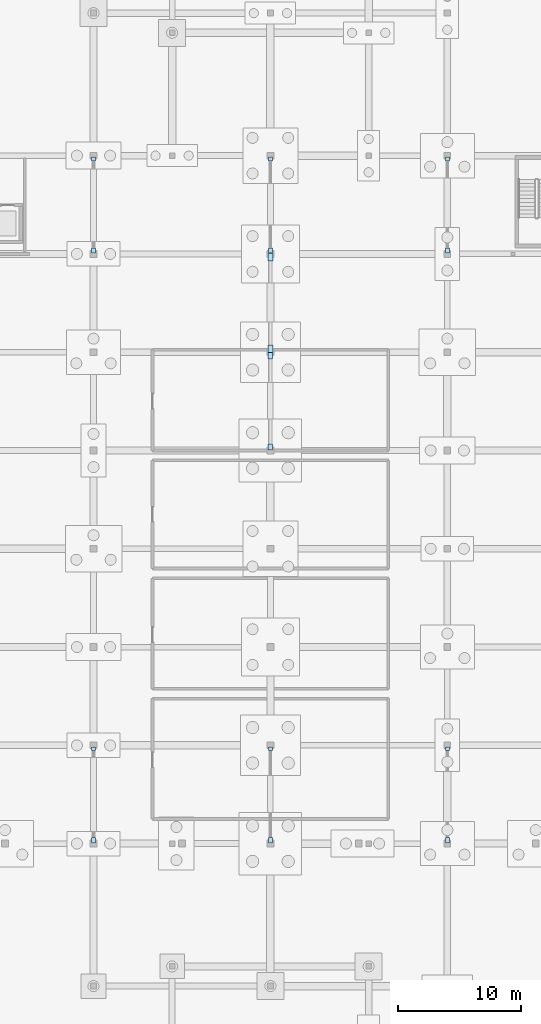
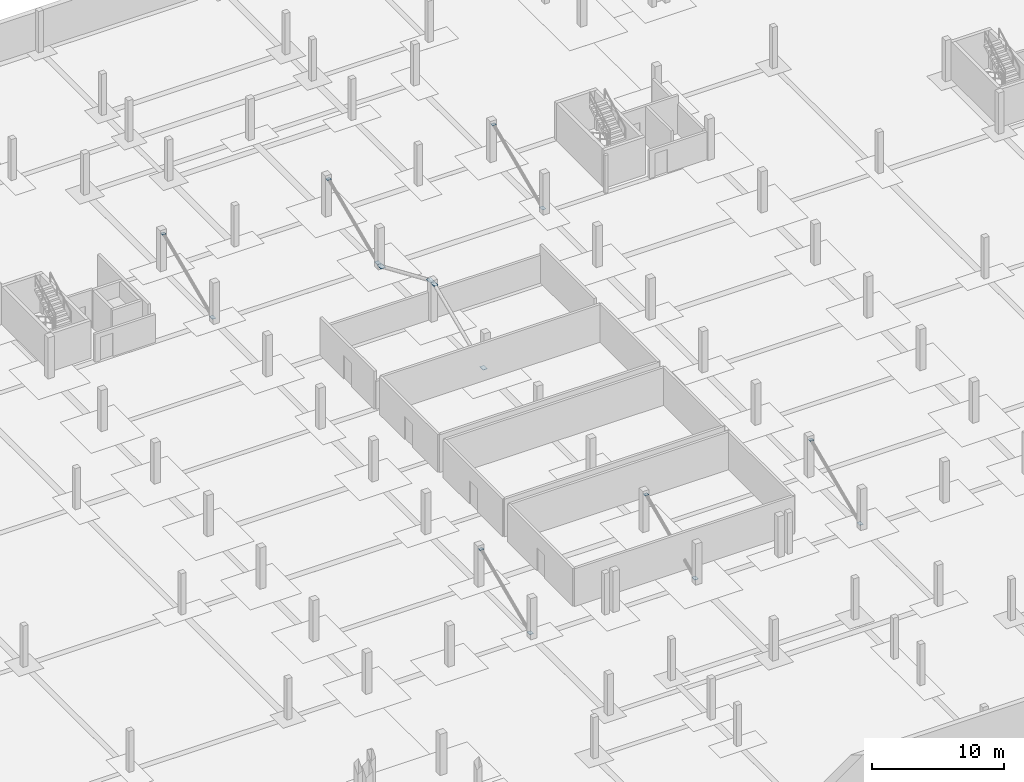
# One storey, part 16 of 38: 16 plates.
"""IFC4 building model written with IfcOpenShell, lengths in metres."""

from ifc_helpers import new_model, si_unit, direction, frame, origin, origin_2d, place, context, subcontext, project, spatial, rectangle, extrude, material, layer, layer_set, type_object, element, save


model = new_model("IFC4")

# Units and contexts
model_context = context("Model", 3, precision=1e-05, world=origin(), true_north=direction((0.0, 1.0)))
body_context = subcontext(model_context, "Body", "Model", "MODEL_VIEW")
ifc_project = project(units=[si_unit("LENGTHUNIT", "METRE"), si_unit("AREAUNIT", "SQUARE_METRE"), si_unit("VOLUMEUNIT", "CUBIC_METRE"), si_unit("PLANEANGLEUNIT", "RADIAN"), si_unit("MASSUNIT", "GRAM", prefix="KILO")], contexts=[model_context])

# Site, building, storey
site_placement = place(None, origin())
site = spatial("IfcSite", under=ifc_project, at=site_placement, CompositionType="ELEMENT")
building_placement = place(site_placement, origin())
building = spatial("IfcBuilding", under=site, at=building_placement, Name="Zavelmont Quarter", CompositionType="ELEMENT")
storey_placement = place(building_placement, frame((0.0, 0.0, -3.800048828125)))
storey = spatial("IfcBuildingStorey", under=building, at=storey_placement, Name="B01", CompositionType="ELEMENT", Elevation=-3.800048828125)

# Plates
ifc_material = material(Name="Steel S355", Category="steel")
ifc_layer_1 = layer(ifc_material, 0.02490234375)
ifc_layer_set_1 = layer_set([ifc_layer_1], Name="Steel S355")
plate_type_1 = type_object("IfcPlateType", Name="NP03", PredefinedType="SHEET", material=ifc_layer_set_1)
for number, where, z_axis, x_axis, name in (
    (1, (69.60009765625, 30.280029296875, 0.2275390625), (0.0, 0.0, 1.0), (0.0, 1.0, 0.0), "B01 steel connection plate NP03 at 11/F"),
    (2, (69.60009765625, 78.280029296875, 0.2275390625), (0.0, 0.0, 1.0), (0.0, 1.0, 0.0), "B01 steel connection plate NP03 at 11/M"),
    (3, (84.0, 30.280029296875, 0.2275390625), (0.0, 0.0, 1.0), (0.0, 1.0, 0.0), "B01 steel connection plate NP03 at 13/F"),
    (4, (84.0, 78.280029296875, 0.2275390625), (0.0, 0.0, 1.0), (0.0, 1.0, 0.0), "B01 steel connection plate NP03 at 13/M"),
    (5, (98.39990234375, 30.280029296875, 0.2275390625), (0.0, 0.0, 1.0), (0.0, 1.0, 0.0), "B01 steel connection plate NP03 at 15/F"),
    (6, (98.39990234375, 78.280029296875, 0.2275390625), (0.0, 0.0, 1.0), (0.0, 1.0, 0.0), "B01 steel connection plate NP03 at 15/M"),
):
    element("IfcPlate", number, at=place(storey_placement, frame(where, z_axis=z_axis, x_axis=x_axis)), inside=storey, type_object=plate_type_1, Name=name, PredefinedType="SHEET", context=body_context, shape_type="SweptSolid", body=[
        extrude(rectangle(XDim=0.43994140625, YDim=0.320068359375, at=origin_2d()), origin(), (0.0, 0.0, 1.0), 0.02490234375),
    ])
ifc_layer_2 = layer(ifc_material, 0.028076171875)
ifc_layer_set_2 = layer_set([ifc_layer_2], Name="Steel S355")
plate_type_2 = type_object("IfcPlateType", Name="NP04", PredefinedType="SHEET", material=ifc_layer_set_2)
for number, where, z_axis, x_axis, name in (
    (7, (84.0, 62.280029296875, 0.22607421875), (0.0, 0.0, 1.0), (0.0, 1.0, 0.0), "B01 steel connection plate NP04 at 13/K"),
    (8, (84.0, 69.719970703125, 3.44580078125), (0.0, 0.0, 1.0), (0.0, 1.0, 0.0), "B01 steel connection plate NP04 at 13/L"),
):
    element("IfcPlate", number, at=place(storey_placement, frame(where, z_axis=z_axis, x_axis=x_axis)), inside=storey, type_object=plate_type_2, Name=name, PredefinedType="SHEET", context=body_context, shape_type="SweptSolid", body=[
        extrude(rectangle(XDim=0.52001953125, YDim=0.360107421875, at=origin_2d()), origin(), (0.0, 0.0, 1.0), 0.028076171875),
    ])
ifc_layer_3 = layer(ifc_material, 0.030029296875)
ifc_layer_set_3 = layer_set([ifc_layer_3], Name="Steel S355")
plate_type_3 = type_object("IfcPlateType", Name="NP05", PredefinedType="SHEET", material=ifc_layer_set_3)
for number, where, z_axis, x_axis, name in (
    (9, (84.0, 70.280029296875, 3.44482421875), (0.0, 0.0, 1.0), (0.0, 1.0, 0.0), "B01 steel connection plate NP05 at 13/L"),
    (10, (84.0, 77.719970703125, 0.22509765625), (0.0, 0.0, 1.0), (0.0, 1.0, 0.0), "B01 steel connection plate NP05 at 13/M"),
):
    element("IfcPlate", number, at=place(storey_placement, frame(where, z_axis=z_axis, x_axis=x_axis)), inside=storey, type_object=plate_type_3, Name=name, PredefinedType="SHEET", context=body_context, shape_type="SweptSolid", body=[
        extrude(rectangle(XDim=0.60009765625, YDim=0.39990234375, at=origin_2d()), origin(), (0.0, 0.0, 1.0), 0.030029296875),
    ])
ifc_layer_4 = layer(ifc_material, 0.02197265625)
ifc_layer_set_4 = layer_set([ifc_layer_4], Name="Steel S355")
plate_type_4 = type_object("IfcPlateType", Name="NP06", PredefinedType="SHEET", material=ifc_layer_set_4)
for number, where, z_axis, x_axis, name in (
    (11, (69.60009765625, 37.719970703125, 3.448974609375), (0.0, 0.0, 1.0), (0.0, 1.0, 0.0), "B01 steel connection plate NP06 at 11/G"),
    (12, (69.60009765625, 85.719970703125, 3.448974609375), (0.0, 0.0, 1.0), (0.0, 1.0, 0.0), "B01 steel connection plate NP06 at 11/N"),
    (13, (84.0, 37.719970703125, 3.448974609375), (0.0, 0.0, 1.0), (0.0, 1.0, 0.0), "B01 steel connection plate NP06 at 13/G"),
    (14, (84.0, 85.719970703125, 3.448974609375), (0.0, 0.0, 1.0), (0.0, 1.0, 0.0), "B01 steel connection plate NP06 at 13/N"),
    (15, (98.39990234375, 37.719970703125, 3.448974609375), (0.0, 0.0, 1.0), (0.0, 1.0, 0.0), "B01 steel connection plate NP06 at 15/G"),
    (16, (98.39990234375, 85.719970703125, 3.448974609375), (0.0, 0.0, 1.0), (0.0, 1.0, 0.0), "B01 steel connection plate NP06 at 15/N"),
):
    element("IfcPlate", number, at=place(storey_placement, frame(where, z_axis=z_axis, x_axis=x_axis)), inside=storey, type_object=plate_type_4, Name=name, PredefinedType="SHEET", context=body_context, shape_type="SweptSolid", body=[
        extrude(rectangle(XDim=0.320068359375, YDim=0.320068359375, at=origin_2d()), origin(), (0.0, 0.0, 1.0), 0.02197265625),
    ])

save(model, "model.ifc")
